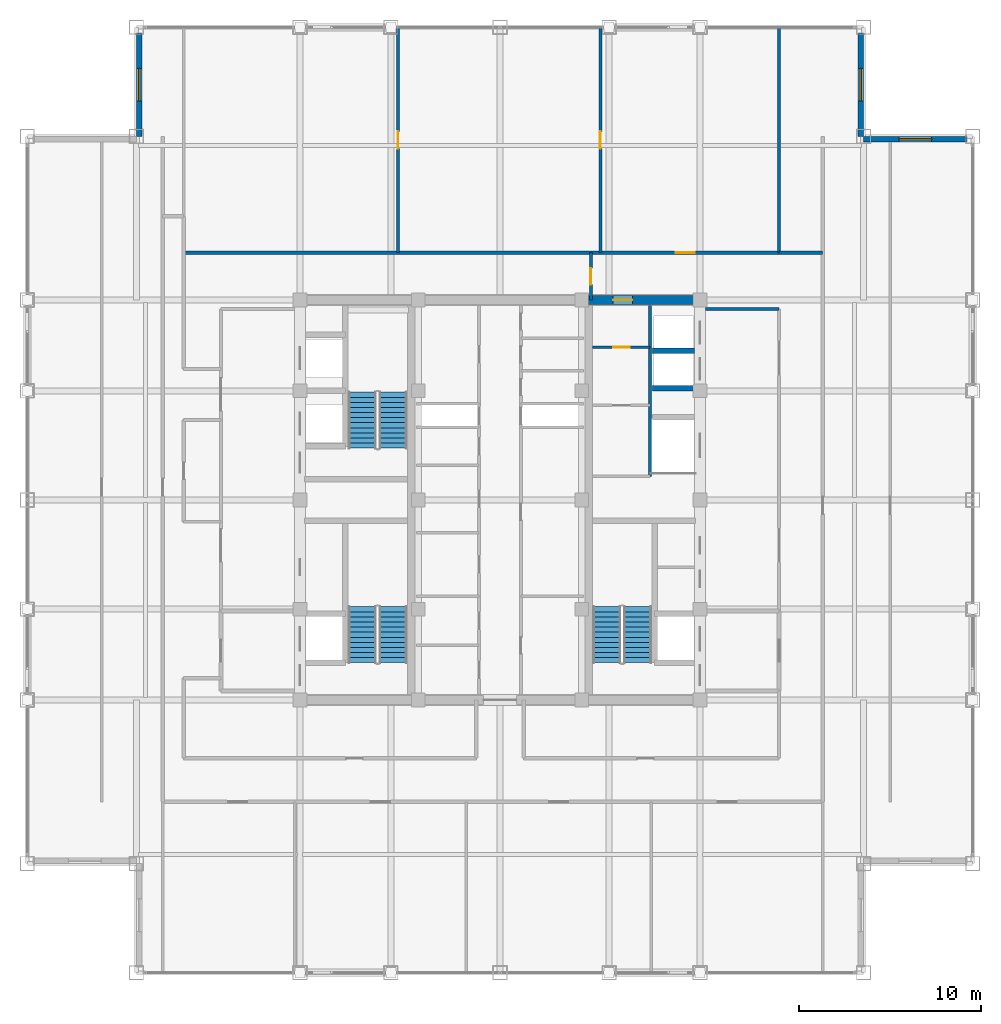
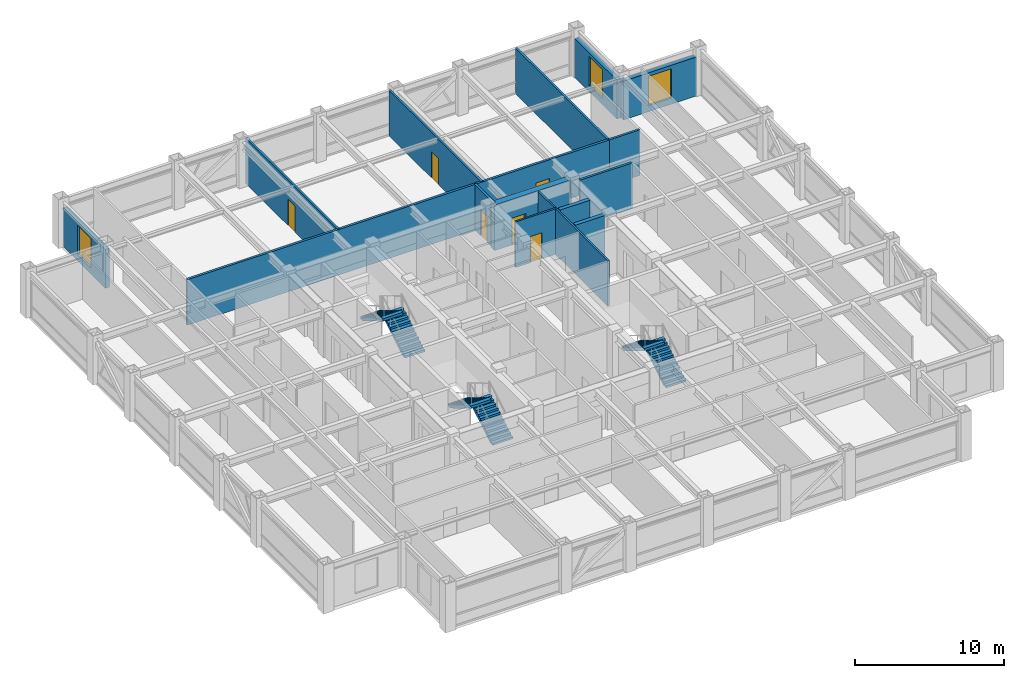
# One storey, part 27 of 28: 15 walls, 6 doors, 6 stair flights, 3 windows, 9 openings, 3 elements without a shape of their own.
"""IFC4 building model written with IfcOpenShell, lengths in metres."""

from ifc_helpers import new_model, si_unit, direction, frame, frame_2d, origin, place, context, subcontext, project, spatial, polyline, rectangle, outline, extrude, source, transform, mapped, material, layer, layer_set, type_object, element, fill, aggregate, save


model = new_model("IFC4")

# Units and contexts
model_context = context("Model", 3, precision=1e-05, world=origin(), true_north=direction((0.0, 1.0)))
body_context = subcontext(model_context, "Body", "Model", "MODEL_VIEW")
ifc_project = project(units=[si_unit("LENGTHUNIT", "METRE"), si_unit("AREAUNIT", "SQUARE_METRE"), si_unit("VOLUMEUNIT", "CUBIC_METRE"), si_unit("PLANEANGLEUNIT", "RADIAN"), si_unit("MASSUNIT", "GRAM", prefix="KILO")], contexts=[model_context])

# Site, building, storey
site_placement = place(None, origin())
site = spatial("IfcSite", under=ifc_project, at=site_placement, CompositionType="ELEMENT")
building_placement = place(site_placement, origin())
building = spatial("IfcBuilding", under=site, at=building_placement, Name="Khorayat Bourse Tower", CompositionType="ELEMENT")
storey_placement = place(building_placement, frame((0.0, 0.0, 330.300048828125)))
storey = spatial("IfcBuildingStorey", under=building, at=storey_placement, Name="L78", CompositionType="ELEMENT", Elevation=330.300048828125)

# Wall, opening, door
ifc_material_1 = material(Name="Concrete C52/65", Category="concrete")
ifc_layer_1 = layer(ifc_material_1, 0.5)
ifc_layer_set_1 = layer_set([ifc_layer_1], Name="Concrete C52/65")
wall_type_1 = type_object("IfcWallType", Name="WAL-CORE-500", PredefinedType="SHEAR", material=ifc_layer_set_1)
shared_shape_1 = source(origin(), body_context, "Body", "SweptSolid", [
    extrude(rectangle(XDim=5.89990234375, YDim=0.5, at=frame_2d((2.949951171875, 0.0))), origin(), (0.0, 0.0, 1.0), 3.739990234375),
])
wall_1_placement = place(storey_placement, frame((4.85009765625, 11.0, 0.0), z_axis=(0.0, 0.0, 1.0), x_axis=(1.0, 0.0, 0.0)))
wall_1 = element("IfcWall", 1, at=wall_1_placement, inside=storey, type_object=wall_type_1, Name="L78 Core Shear Wall PIER-EN", PredefinedType="SHEAR", context=body_context, shape_type="MappedRepresentation", body=[
    mapped(shared_shape_1, transform((0.0, 0.0, 0.0), scale=1.0)),
])
shared_shape_2 = source(origin(), body_context, "Body", "SweptSolid", [
    extrude(rectangle(XDim=1.050048828125, YDim=2.199951171875, at=frame_2d((0.52490234375, 1.10009765625))), frame((0.0, 0.260009765625, 0.0), z_axis=(0.0, -1.0, 0.0), x_axis=(1.0, 0.0, 0.0)), (0.0, 0.0, 1.0), 0.52001953125),
])
opening_1_placement = place(wall_1_placement, frame((1.375, 0.0, 0.0)))
opening_1 = element("IfcOpeningElement", 2, at=opening_1_placement, cuts=wall_1, Name="Opening DI-04", PredefinedType="OPENING", context=body_context, shape_type="MappedRepresentation", body=[
    mapped(shared_shape_2, transform((0.0, 0.0, 0.0), scale=1.0)),
])
ifc_material_2 = material(Name="Fire-rated oak veneer suite entrance door")
door_type_1 = type_object("IfcDoorType", Name="DR-INT-SUITE-1050", OperationType="NOTDEFINED", PredefinedType="DOOR", material=ifc_material_2)
shared_shape_3 = source(origin(), body_context, "Body", "SweptSolid", [
    extrude(rectangle(XDim=1.050048828125, YDim=2.199951171875, at=frame_2d((0.52490234375, 1.10009765625))), frame((0.0, 0.02490234375, 0.0), z_axis=(0.0, -1.0, 0.0), x_axis=(1.0, 0.0, 0.0)), (0.0, 0.0, 1.0), 0.050048828125),
])
door_1_placement = place(opening_1_placement, origin())
door_1 = element("IfcDoor", 3, at=door_1_placement, inside=storey, type_object=door_type_1, Name="L78 Core Washroom Lobby Door", OperationType="SINGLE_SWING_LEFT", OverallHeight=2.199951171875, OverallWidth=1.050048828125, PredefinedType="DOOR", context=body_context, shape_type="MappedRepresentation", body=[
    mapped(shared_shape_3, transform((0.0, 0.0, 0.0), scale=1.0)),
])
fill(opening_1, door_1)

# Wall, opening, window
ifc_material_3 = material(Name="Precast concrete C45/55", Category="concrete")
ifc_layer_2 = layer(ifc_material_3, 0.320068359375)
ifc_layer_set_2 = layer_set([ifc_layer_2], Name="Precast concrete C45/55")
wall_type_2 = type_object("IfcWallType", Name="WAL-EXT-STONE-320", PredefinedType="STANDARD", material=ifc_layer_set_2)
shared_shape_4 = source(origin(), body_context, "Body", "SweptSolid", [
    extrude(rectangle(XDim=5.679931640625, YDim=0.320068359375, at=frame_2d((2.83984375, 0.0))), origin(), (0.0, 0.0, 1.0), 3.19091796875),
])
wall_2_placement = place(storey_placement, frame((20.0, 19.840087890625, 0.0), z_axis=(0.0, 0.0, 1.0), x_axis=(1.0, 0.0, 0.0)))
wall_2 = element("IfcWall", 4, at=wall_2_placement, inside=storey, type_object=wall_type_2, Name="L78 Re-Entrant Notch Limestone Wall NE-H", PredefinedType="STANDARD", context=body_context, shape_type="MappedRepresentation", body=[
    mapped(shared_shape_4, transform((0.0, 0.0, 0.0), scale=1.0)),
])
shared_shape_5 = source(origin(), body_context, "Body", "SweptSolid", [
    extrude(rectangle(XDim=1.800048828125, YDim=2.39990234375, at=frame_2d((0.89990234375, 1.199951171875))), frame((0.0, 0.169921875, 0.0), z_axis=(0.0, -1.0, 0.0), x_axis=(1.0, 0.0, 0.0)), (0.0, 0.0, 1.0), 0.340087890625),
])
opening_2_placement = place(wall_2_placement, frame((1.93994140625, 0.0, 0.5)))
opening_2 = element("IfcOpeningElement", 5, at=opening_2_placement, cuts=wall_2, Name="Opening WN-04", PredefinedType="OPENING", context=body_context, shape_type="MappedRepresentation", body=[
    mapped(shared_shape_5, transform((0.0, 0.0, 0.0), scale=1.0)),
])
ifc_material_4 = material(Name="Low-E acoustic laminated double glazing", Category="glass")
window_type = type_object("IfcWindowType", Name="WIN-NOTCH-1800x2400", PartitioningType="SINGLE_PANEL", PredefinedType="WINDOW", material=ifc_material_4)
shared_shape_6 = source(origin(), body_context, "Body", "SweptSolid", [
    extrude(rectangle(XDim=1.800048828125, YDim=2.39990234375, at=frame_2d((0.89990234375, 1.199951171875))), frame((0.0, 0.030029296875, 0.0), z_axis=(0.0, -1.0, 0.0), x_axis=(1.0, 0.0, 0.0)), (0.0, 0.0, 1.0), 0.06005859375),
])
window_1_placement = place(opening_2_placement, origin())
window_1 = element("IfcWindow", 6, at=window_1_placement, inside=storey, type_object=window_type, Name="L78 Facade Window 1", OverallHeight=2.39990234375, OverallWidth=1.800048828125, PartitioningType="SINGLE_PANEL", PredefinedType="WINDOW", context=body_context, shape_type="MappedRepresentation", body=[
    mapped(shared_shape_6, transform((0.0, 0.0, 0.0), scale=1.0)),
])
fill(opening_2, window_1)

wall_3_placement = place(storey_placement, frame((19.840087890625, 20.0, 0.0), z_axis=(0.0, 0.0, 1.0), x_axis=(0.0, 1.0, 0.0)))
wall_3 = element("IfcWall", 7, at=wall_3_placement, inside=storey, type_object=wall_type_2, Name="L78 Re-Entrant Notch Limestone Wall NE-V", PredefinedType="STANDARD", context=body_context, shape_type="MappedRepresentation", body=[
    mapped(shared_shape_4, transform((0.0, 0.0, 0.0), scale=1.0)),
])
opening_3_placement = place(wall_3_placement, frame((1.93994140625, 0.0, 0.5)))
opening_3 = element("IfcOpeningElement", 8, at=opening_3_placement, cuts=wall_3, Name="Opening WN-04", PredefinedType="OPENING", context=body_context, shape_type="MappedRepresentation", body=[
    mapped(shared_shape_5, transform((0.0, 0.0, 0.0), scale=1.0)),
])
window_2_placement = place(opening_3_placement, origin())
window_2 = element("IfcWindow", 9, at=window_2_placement, inside=storey, type_object=window_type, Name="L78 Facade Window 1", OverallHeight=2.39990234375, OverallWidth=1.800048828125, PartitioningType="SINGLE_PANEL", PredefinedType="WINDOW", context=body_context, shape_type="MappedRepresentation", body=[
    mapped(shared_shape_6, transform((0.0, 0.0, 0.0), scale=1.0)),
])
fill(opening_3, window_2)

wall_4_placement = place(storey_placement, frame((-19.840087890625, 20.0, 0.0), z_axis=(0.0, 0.0, 1.0), x_axis=(0.0, 1.0, 0.0)))
wall_4 = element("IfcWall", 10, at=wall_4_placement, inside=storey, type_object=wall_type_2, Name="L78 Re-Entrant Notch Limestone Wall NW-V", PredefinedType="STANDARD", context=body_context, shape_type="MappedRepresentation", body=[
    mapped(shared_shape_4, transform((0.0, 0.0, 0.0), scale=1.0)),
])
opening_4_placement = place(wall_4_placement, frame((1.93994140625, 0.0, 0.5)))
opening_4 = element("IfcOpeningElement", 11, at=opening_4_placement, cuts=wall_4, Name="Opening WN-04", PredefinedType="OPENING", context=body_context, shape_type="MappedRepresentation", body=[
    mapped(shared_shape_5, transform((0.0, 0.0, 0.0), scale=1.0)),
])
window_3_placement = place(opening_4_placement, origin())
window_3 = element("IfcWindow", 12, at=window_3_placement, inside=storey, type_object=window_type, Name="L78 Facade Window 1", OverallHeight=2.39990234375, OverallWidth=1.800048828125, PartitioningType="SINGLE_PANEL", PredefinedType="WINDOW", context=body_context, shape_type="MappedRepresentation", body=[
    mapped(shared_shape_6, transform((0.0, 0.0, 0.0), scale=1.0)),
])
fill(opening_4, window_3)

# Walls
ifc_material_5 = material(Name="Concrete C50/60", Category="concrete")
ifc_layer_3 = layer(ifc_material_5, 0.300048828125)
ifc_layer_set_3 = layer_set([ifc_layer_3], Name="Concrete C50/60")
wall_type_3 = type_object("IfcWallType", Name="WAL-SHAFT-300", PredefinedType="SHEAR", material=ifc_layer_set_3)
shared_shape_7 = source(origin(), body_context, "Body", "SweptSolid", [
    extrude(rectangle(XDim=2.300048828125, YDim=0.300048828125, at=frame_2d((1.14990234375, 0.0))), origin(), (0.0, 0.0, 1.0), 3.739990234375),
])
for number, where, z_axis, x_axis, name in (
    (13, (8.39990234375, 6.14990234375, 0.0), (0.0, 0.0, 1.0), (1.0, 0.0, 0.0), "L78 Partition WAL-L78-EPIER-H3S"),
    (14, (8.39990234375, 8.199951171875, 0.0), (0.0, 0.0, 1.0), (1.0, 0.0, 0.0), "L78 Partition WAL-L78-EPIER-H34"),
):
    element("IfcWall", number, at=place(storey_placement, frame(where, z_axis=z_axis, x_axis=x_axis)), inside=storey, type_object=wall_type_3, Name=name, PredefinedType="SHEAR", context=body_context, shape_type="MappedRepresentation", body=[
        mapped(shared_shape_7, transform((0.0, 0.0, 0.0), scale=1.0)),
    ])
ifc_material_6 = material(Name="Moisture-resistant masonry partition", Category="masonry")
ifc_layer_4 = layer(ifc_material_6, 0.139892578125)
ifc_layer_set_4 = layer_set([ifc_layer_4], Name="Moisture-resistant masonry partition")
wall_type_4 = type_object("IfcWallType", Name="WAL-PART-WET-140", PredefinedType="PARTITIONING", material=ifc_layer_set_4)
shared_shape_8 = source(origin(), body_context, "Body", "SweptSolid", [
    extrude(rectangle(XDim=9.39990234375, YDim=0.139892578125, at=frame_2d((4.699951171875, 0.0))), origin(), (0.0, 0.0, 1.0), 3.739990234375),
])
wall_5_placement = place(storey_placement, frame((8.25, 1.300048828125, 0.0), z_axis=(0.0, 0.0, 1.0), x_axis=(0.0, 1.0, 0.0)))
element("IfcWall", 15, at=wall_5_placement, inside=storey, type_object=wall_type_4, Name="L78 Partition WAL-L78-ECORE-E", PredefinedType="PARTITIONING", context=body_context, shape_type="MappedRepresentation", body=[
    mapped(shared_shape_8, transform((0.0, 0.0, 0.0), scale=1.0)),
])

# Wall, opening, door
shared_shape_9 = source(origin(), body_context, "Body", "SweptSolid", [
    extrude(rectangle(XDim=3.14990234375, YDim=0.139892578125, at=frame_2d((1.574951171875, 0.0))), origin(), (0.0, 0.0, 1.0), 3.739990234375),
])
wall_6_placement = place(storey_placement, frame((5.10009765625, 8.39990234375, 0.0), z_axis=(0.0, 0.0, 1.0), x_axis=(1.0, 0.0, 0.0)))
wall_6 = element("IfcWall", 16, at=wall_6_placement, inside=storey, type_object=wall_type_4, Name="L78 Partition WAL-L78-ECW-TOP", PredefinedType="PARTITIONING", context=body_context, shape_type="MappedRepresentation", body=[
    mapped(shared_shape_9, transform((0.0, 0.0, 0.0), scale=1.0)),
])
shared_shape_10 = source(origin(), body_context, "Body", "SweptSolid", [
    extrude(rectangle(XDim=0.89990234375, YDim=2.14990234375, at=frame_2d((0.449951171875, 1.074951171875))), frame((0.0, 0.079833984375, 0.0), z_axis=(0.0, -1.0, 0.0), x_axis=(1.0, 0.0, 0.0)), (0.0, 0.0, 1.0), 0.159912109375),
])
opening_5_placement = place(wall_6_placement, frame((1.1298828125, 0.0, 0.0)))
opening_5 = element("IfcOpeningElement", 17, at=opening_5_placement, cuts=wall_6, Name="Opening DI-06", PredefinedType="OPENING", context=body_context, shape_type="MappedRepresentation", body=[
    mapped(shared_shape_10, transform((0.0, 0.0, 0.0), scale=1.0)),
])
ifc_material_7 = material(Name="Moisture-resistant laminate washroom door")
door_type_2 = type_object("IfcDoorType", Name="DR-INT-WC-900", OperationType="NOTDEFINED", PredefinedType="DOOR", material=ifc_material_7)
shared_shape_11 = source(origin(), body_context, "Body", "SweptSolid", [
    extrude(rectangle(XDim=0.89990234375, YDim=2.14990234375, at=frame_2d((0.449951171875, 1.074951171875))), frame((0.0, 0.02490234375, 0.0), z_axis=(0.0, -1.0, 0.0), x_axis=(1.0, 0.0, 0.0)), (0.0, 0.0, 1.0), 0.050048828125),
])
door_2_placement = place(opening_5_placement, origin())
door_2 = element("IfcDoor", 18, at=door_2_placement, inside=storey, type_object=door_type_2, Name="L78 Accessible WC Door", OperationType="SINGLE_SWING_LEFT", OverallHeight=2.14990234375, OverallWidth=0.89990234375, PredefinedType="DOOR", context=body_context, shape_type="MappedRepresentation", body=[
    mapped(shared_shape_11, transform((0.0, 0.0, 0.0), scale=1.0)),
])
fill(opening_5, door_2)

# Wall
ifc_material_8 = material(Name="Gypsum plasterboard acoustic stud wall")
ifc_layer_5 = layer(ifc_material_8, 0.179931640625)
ifc_layer_set_5 = layer_set([ifc_layer_5], Name="Gypsum plasterboard acoustic stud wall")
wall_type_5 = type_object("IfcWallType", Name="WAL-PART-CORR-180", PredefinedType="PARTITIONING", material=ifc_layer_set_5)
shared_shape_12 = source(origin(), body_context, "Body", "SweptSolid", [
    extrude(rectangle(XDim=4.050048828125, YDim=0.179931640625, at=frame_2d((2.02490234375, 0.0))), origin(), (0.0, 0.0, 1.0), 3.739990234375),
])
wall_7_placement = place(storey_placement, frame((11.300048828125, 10.5, 0.0), z_axis=(0.0, 0.0, 1.0), x_axis=(1.0, 0.0, 0.0)))
element("IfcWall", 19, at=wall_7_placement, inside=storey, type_object=wall_type_5, Name="L78 Partition WAL-L78-ELOB-N", PredefinedType="PARTITIONING", context=body_context, shape_type="MappedRepresentation", body=[
    mapped(shared_shape_12, transform((0.0, 0.0, 0.0), scale=1.0)),
])

# Wall, opening, door
shared_shape_13 = source(origin(), body_context, "Body", "SweptSolid", [
    extrude(rectangle(XDim=2.60009765625, YDim=0.179931640625, at=frame_2d((1.300048828125, 0.0))), origin(), (0.0, 0.0, 1.0), 3.739990234375),
])
wall_8_placement = place(storey_placement, frame((5.0, 11.0, 0.0), z_axis=(0.0, 0.0, 1.0), x_axis=(0.0, 1.0, 0.0)))
wall_8 = element("IfcWall", 20, at=wall_8_placement, inside=storey, type_object=wall_type_5, Name="L78 Partition WAL-L78-CORRNE-W", PredefinedType="PARTITIONING", context=body_context, shape_type="MappedRepresentation", body=[
    mapped(shared_shape_13, transform((0.0, 0.0, 0.0), scale=1.0)),
])
shared_shape_14 = source(origin(), body_context, "Body", "SweptSolid", [
    extrude(rectangle(XDim=0.89990234375, YDim=2.14990234375, at=frame_2d((0.449951171875, 1.074951171875))), frame((0.0, 0.099853515625, 0.0), z_axis=(0.0, -1.0, 0.0), x_axis=(1.0, 0.0, 0.0)), (0.0, 0.0, 1.0), 0.199951171875),
])
opening_6_placement = place(wall_8_placement, frame((0.85009765625, 0.0, 0.0)))
opening_6 = element("IfcOpeningElement", 21, at=opening_6_placement, cuts=wall_8, Name="Opening DI-06", PredefinedType="OPENING", context=body_context, shape_type="MappedRepresentation", body=[
    mapped(shared_shape_14, transform((0.0, 0.0, 0.0), scale=1.0)),
])
door_3_placement = place(opening_6_placement, origin())
door_3 = element("IfcDoor", 22, at=door_3_placement, inside=storey, type_object=door_type_2, Name="L78 North Core Pantry Door", OperationType="SINGLE_SWING_LEFT", OverallHeight=2.14990234375, OverallWidth=0.89990234375, PredefinedType="DOOR", context=body_context, shape_type="MappedRepresentation", body=[
    mapped(shared_shape_11, transform((0.0, 0.0, 0.0), scale=1.0)),
])
fill(opening_6, door_3)

# Wall
shared_shape_15 = source(origin(), body_context, "Body", "SweptSolid", [
    extrude(rectangle(XDim=2.39990234375, YDim=0.179931640625, at=frame_2d((1.199951171875, 0.0))), origin(), (0.0, 0.0, 1.0), 3.739990234375),
])
wall_9_placement = place(storey_placement, frame((15.35009765625, 13.60009765625, 0.0), z_axis=(0.0, 0.0, 1.0), x_axis=(1.0, 0.0, 0.0)))
element("IfcWall", 23, at=wall_9_placement, inside=storey, type_object=wall_type_5, Name="L78 Partition WAL-L78-GALE-N", PredefinedType="PARTITIONING", context=body_context, shape_type="MappedRepresentation", body=[
    mapped(shared_shape_15, transform((0.0, 0.0, 0.0), scale=1.0)),
])

# Wall, opening, door
ifc_material_9 = material(Name="Gypsum plasterboard twin-frame partition")
ifc_layer_6 = layer(ifc_material_9, 0.14990234375)
ifc_layer_set_6 = layer_set([ifc_layer_6], Name="Gypsum plasterboard twin-frame partition")
wall_type_6 = type_object("IfcWallType", Name="WAL-PART-SUITE-150", PredefinedType="PARTITIONING", material=ifc_layer_set_6)
shared_shape_16 = source(origin(), body_context, "Body", "SweptSolid", [
    extrude(rectangle(XDim=12.39990234375, YDim=0.14990234375, at=frame_2d((6.199951171875, 0.0))), origin(), (0.0, 0.0, 1.0), 3.739990234375),
])
wall_10_placement = place(storey_placement, frame((-5.610107421875, 13.60009765625, 0.0), z_axis=(0.0, 0.0, 1.0), x_axis=(0.0, 1.0, 0.0)))
wall_10 = element("IfcWall", 24, at=wall_10_placement, inside=storey, type_object=wall_type_6, Name="L78 Partition WAL-L78-NDV-1", PredefinedType="PARTITIONING", context=body_context, shape_type="MappedRepresentation", body=[
    mapped(shared_shape_16, transform((0.0, 0.0, 0.0), scale=1.0)),
])
shared_shape_17 = source(origin(), body_context, "Body", "SweptSolid", [
    extrude(rectangle(XDim=0.949951171875, YDim=2.14990234375, at=frame_2d((0.47509765625, 1.074951171875))), frame((0.0, 0.0849609375, 0.0), z_axis=(0.0, -1.0, 0.0), x_axis=(1.0, 0.0, 0.0)), (0.0, 0.0, 1.0), 0.169921875),
])
opening_7_placement = place(wall_10_placement, frame((5.72509765625, 0.0, 0.0)))
opening_7 = element("IfcOpeningElement", 25, at=opening_7_placement, cuts=wall_10, Name="Opening DI-05", PredefinedType="OPENING", context=body_context, shape_type="MappedRepresentation", body=[
    mapped(shared_shape_17, transform((0.0, 0.0, 0.0), scale=1.0)),
])
ifc_material_10 = material(Name="Acoustic oak veneer office door")
door_type_3 = type_object("IfcDoorType", Name="DR-INT-OFFICE-950", OperationType="NOTDEFINED", PredefinedType="DOOR", material=ifc_material_10)
shared_shape_18 = source(origin(), body_context, "Body", "SweptSolid", [
    extrude(rectangle(XDim=0.949951171875, YDim=2.14990234375, at=frame_2d((0.47509765625, 1.074951171875))), frame((0.0, 0.02490234375, 0.0), z_axis=(0.0, -1.0, 0.0), x_axis=(1.0, 0.0, 0.0)), (0.0, 0.0, 1.0), 0.050048828125),
])
door_4_placement = place(opening_7_placement, origin())
door_4 = element("IfcDoor", 26, at=door_4_placement, inside=storey, type_object=door_type_3, Name="L78 N Suite Link 1", OperationType="SINGLE_SWING_RIGHT", OverallHeight=2.14990234375, OverallWidth=0.949951171875, PredefinedType="DOOR", context=body_context, shape_type="MappedRepresentation", body=[
    mapped(shared_shape_18, transform((0.0, 0.0, 0.0), scale=1.0)),
])
fill(opening_7, door_4)

wall_11_placement = place(storey_placement, frame((5.52490234375, 13.60009765625, 0.0), z_axis=(0.0, 0.0, 1.0), x_axis=(0.0, 1.0, 0.0)))
wall_11 = element("IfcWall", 27, at=wall_11_placement, inside=storey, type_object=wall_type_6, Name="L78 Partition WAL-L78-NDV-2", PredefinedType="PARTITIONING", context=body_context, shape_type="MappedRepresentation", body=[
    mapped(shared_shape_16, transform((0.0, 0.0, 0.0), scale=1.0)),
])
opening_8_placement = place(wall_11_placement, frame((5.72509765625, 0.0, 0.0)))
opening_8 = element("IfcOpeningElement", 28, at=opening_8_placement, cuts=wall_11, Name="Opening DI-05", PredefinedType="OPENING", context=body_context, shape_type="MappedRepresentation", body=[
    mapped(shared_shape_17, transform((0.0, 0.0, 0.0), scale=1.0)),
])
door_5_placement = place(opening_8_placement, origin())
door_5 = element("IfcDoor", 29, at=door_5_placement, inside=storey, type_object=door_type_3, Name="L78 N Suite Link 2", OperationType="SINGLE_SWING_LEFT", OverallHeight=2.14990234375, OverallWidth=0.949951171875, PredefinedType="DOOR", context=body_context, shape_type="MappedRepresentation", body=[
    mapped(shared_shape_18, transform((0.0, 0.0, 0.0), scale=1.0)),
])
fill(opening_8, door_5)

# Wall
wall_12_placement = place(storey_placement, frame((15.35009765625, 13.60009765625, 0.0), z_axis=(0.0, 0.0, 1.0), x_axis=(0.0, 1.0, 0.0)))
element("IfcWall", 30, at=wall_12_placement, inside=storey, type_object=wall_type_6, Name="L78 Partition WAL-L78-NCE-END", PredefinedType="PARTITIONING", context=body_context, shape_type="MappedRepresentation", body=[
    mapped(shared_shape_16, transform((0.0, 0.0, 0.0), scale=1.0)),
])

# Wall, opening, door
shared_shape_19 = source(origin(), body_context, "Body", "SweptSolid", [
    extrude(rectangle(XDim=32.75, YDim=0.179931640625, at=frame_2d((16.375, 0.0))), origin(), (0.0, 0.0, 1.0), 3.739990234375),
])
wall_13_placement = place(storey_placement, frame((-17.39990234375, 13.60009765625, 0.0), z_axis=(0.0, 0.0, 1.0), x_axis=(1.0, 0.0, 0.0)))
wall_13 = element("IfcWall", 31, at=wall_13_placement, inside=storey, type_object=wall_type_5, Name="L78 Partition WAL-L78-NCORR", PredefinedType="PARTITIONING", context=body_context, shape_type="MappedRepresentation", body=[
    mapped(shared_shape_19, transform((0.0, 0.0, 0.0), scale=1.0)),
])
shared_shape_20 = source(origin(), body_context, "Body", "SweptSolid", [
    extrude(rectangle(XDim=1.050048828125, YDim=2.199951171875, at=frame_2d((0.52490234375, 1.10009765625))), frame((0.0, 0.099853515625, 0.0), z_axis=(0.0, -1.0, 0.0), x_axis=(1.0, 0.0, 0.0)), (0.0, 0.0, 1.0), 0.199951171875),
])
opening_9_placement = place(wall_13_placement, frame((27.074951171875, 0.0, 0.0)))
opening_9 = element("IfcOpeningElement", 32, at=opening_9_placement, cuts=wall_13, Name="Opening DI-04", PredefinedType="OPENING", context=body_context, shape_type="MappedRepresentation", body=[
    mapped(shared_shape_20, transform((0.0, 0.0, 0.0), scale=1.0)),
])
door_6_placement = place(opening_9_placement, origin())
door_6 = element("IfcDoor", 33, at=door_6_placement, inside=storey, type_object=door_type_1, Name="L78 Staff Tea Pantry N3 Door", OperationType="SINGLE_SWING_RIGHT", OverallHeight=2.199951171875, OverallWidth=1.050048828125, PredefinedType="DOOR", context=body_context, shape_type="MappedRepresentation", body=[
    mapped(shared_shape_3, transform((0.0, 0.0, 0.0), scale=1.0)),
])
fill(opening_9, door_6)

# Stair, stair flights
ifc_material_11 = material(Name="Concrete C40/50", Category="concrete")
stair_type = type_object("IfcStairType", Name="STR-CORE-1550", PredefinedType="HALF_TURN_STAIR", material=ifc_material_11)
stair_1_placement = place(storey_placement, origin())
stair_1 = element("IfcStair", 34, at=stair_1_placement, inside=storey, type_object=stair_type, Name="L78 Exit Stair ST-1", PredefinedType="HALF_TURN_STAIR")
stair_flight_type = type_object("IfcStairFlightType", Name="FLT-CORE-1550", PredefinedType="STRAIGHT", material=ifc_material_11)
shared_shape_21 = source(origin(), body_context, "Body", "SweptSolid", [
    extrude(outline(polyline([(0.0, 0.0), (0.0, 0.166748046875), (0.280029296875, 0.166748046875), (0.280029296875, 0.333251953125), (0.56005859375, 0.333251953125), (0.56005859375, 0.5), (0.840087890625, 0.5), (0.840087890625, 0.666748046875), (1.1201171875, 0.666748046875), (1.1201171875, 0.833251953125), (1.39990234375, 0.833251953125), (1.39990234375, 1.0), (1.679931640625, 1.0), (1.679931640625, 1.166748046875), (1.9599609375, 1.166748046875), (1.9599609375, 1.333251953125), (2.239990234375, 1.333251953125), (2.239990234375, 1.5), (2.52001953125, 1.5), (2.52001953125, 1.666748046875), (2.800048828125, 1.666748046875), (2.800048828125, 1.833251953125), (3.080078125, 1.833251953125), (3.080078125, 2.0), (3.080078125, 1.6240234375), (0.351806640625, 0.0), (0.0, 0.0)])), frame((0.0, 0.77490234375, 0.0), z_axis=(0.0, -1.0, 0.0), x_axis=(1.0, 0.0, 0.0)), (0.0, 0.0, 1.0), 1.550048828125),
])
stair_flight_1_placement = place(storey_placement, frame((-5.875, -8.949951171875, 0.0), z_axis=(0.0, 0.0, 1.0), x_axis=(0.0, 1.0, 0.0)))
stair_flight_1 = element("IfcStairFlight", 35, at=stair_flight_1_placement, type_object=stair_flight_type, Name="ST-1 flight 1", NumberOfRisers=12, NumberOfTreads=11, PredefinedType="STRAIGHT", RiserHeight=0.166666667, TreadLength=0.28, context=body_context, shape_type="MappedRepresentation", body=[
    mapped(shared_shape_21, transform((0.0, 0.0, 0.0), scale=1.0)),
])
stair_flight_2_placement = place(storey_placement, frame((-7.574951171875, -5.8701171875, 2.0), z_axis=(0.0, 0.0, 1.0), x_axis=(0.0, -1.0, 0.0)))
stair_flight_2 = element("IfcStairFlight", 36, at=stair_flight_2_placement, type_object=stair_flight_type, Name="ST-1 flight 2", NumberOfRisers=12, NumberOfTreads=11, PredefinedType="STRAIGHT", RiserHeight=0.166666667, TreadLength=0.28, context=body_context, shape_type="MappedRepresentation", body=[
    mapped(shared_shape_21, transform((0.0, 0.0, 0.0), scale=1.0)),
])
aggregate(stair_1, [stair_flight_1, stair_flight_2])

stair_2_placement = place(storey_placement, origin())
stair_2 = element("IfcStair", 37, at=stair_2_placement, inside=storey, type_object=stair_type, Name="L78 Exit Stair ST-2", PredefinedType="HALF_TURN_STAIR")
stair_flight_3_placement = place(storey_placement, frame((-5.875, 2.85009765625, 0.0), z_axis=(0.0, 0.0, 1.0), x_axis=(0.0, 1.0, 0.0)))
stair_flight_3 = element("IfcStairFlight", 38, at=stair_flight_3_placement, type_object=stair_flight_type, Name="ST-2 flight 1", NumberOfRisers=12, NumberOfTreads=11, PredefinedType="STRAIGHT", RiserHeight=0.166666667, TreadLength=0.28, context=body_context, shape_type="MappedRepresentation", body=[
    mapped(shared_shape_21, transform((0.0, 0.0, 0.0), scale=1.0)),
])
stair_flight_4_placement = place(storey_placement, frame((-7.574951171875, 5.929931640625, 2.0), z_axis=(0.0, 0.0, 1.0), x_axis=(0.0, -1.0, 0.0)))
stair_flight_4 = element("IfcStairFlight", 39, at=stair_flight_4_placement, type_object=stair_flight_type, Name="ST-2 flight 2", NumberOfRisers=12, NumberOfTreads=11, PredefinedType="STRAIGHT", RiserHeight=0.166666667, TreadLength=0.28, context=body_context, shape_type="MappedRepresentation", body=[
    mapped(shared_shape_21, transform((0.0, 0.0, 0.0), scale=1.0)),
])
aggregate(stair_2, [stair_flight_3, stair_flight_4])

stair_3_placement = place(storey_placement, origin())
stair_3 = element("IfcStair", 40, at=stair_3_placement, inside=storey, type_object=stair_type, Name="L78 Exit Stair ST-3", PredefinedType="HALF_TURN_STAIR")
stair_flight_5_placement = place(storey_placement, frame((7.574951171875, -8.949951171875, 0.0), z_axis=(0.0, 0.0, 1.0), x_axis=(0.0, 1.0, 0.0)))
stair_flight_5 = element("IfcStairFlight", 41, at=stair_flight_5_placement, type_object=stair_flight_type, Name="ST-3 flight 1", NumberOfRisers=12, NumberOfTreads=11, PredefinedType="STRAIGHT", RiserHeight=0.166666667, TreadLength=0.28, context=body_context, shape_type="MappedRepresentation", body=[
    mapped(shared_shape_21, transform((0.0, 0.0, 0.0), scale=1.0)),
])
stair_flight_6_placement = place(storey_placement, frame((5.875, -5.8701171875, 2.0), z_axis=(0.0, 0.0, 1.0), x_axis=(0.0, -1.0, 0.0)))
stair_flight_6 = element("IfcStairFlight", 42, at=stair_flight_6_placement, type_object=stair_flight_type, Name="ST-3 flight 2", NumberOfRisers=12, NumberOfTreads=11, PredefinedType="STRAIGHT", RiserHeight=0.166666667, TreadLength=0.28, context=body_context, shape_type="MappedRepresentation", body=[
    mapped(shared_shape_21, transform((0.0, 0.0, 0.0), scale=1.0)),
])
aggregate(stair_3, [stair_flight_5, stair_flight_6])

save(model, "model.ifc")
